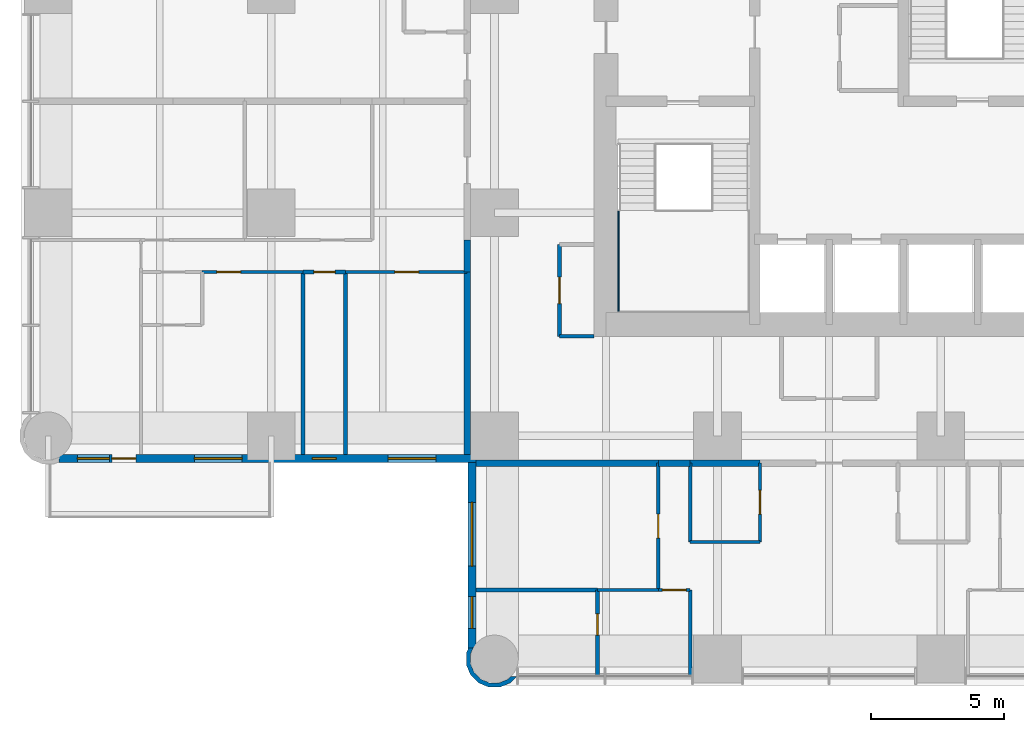
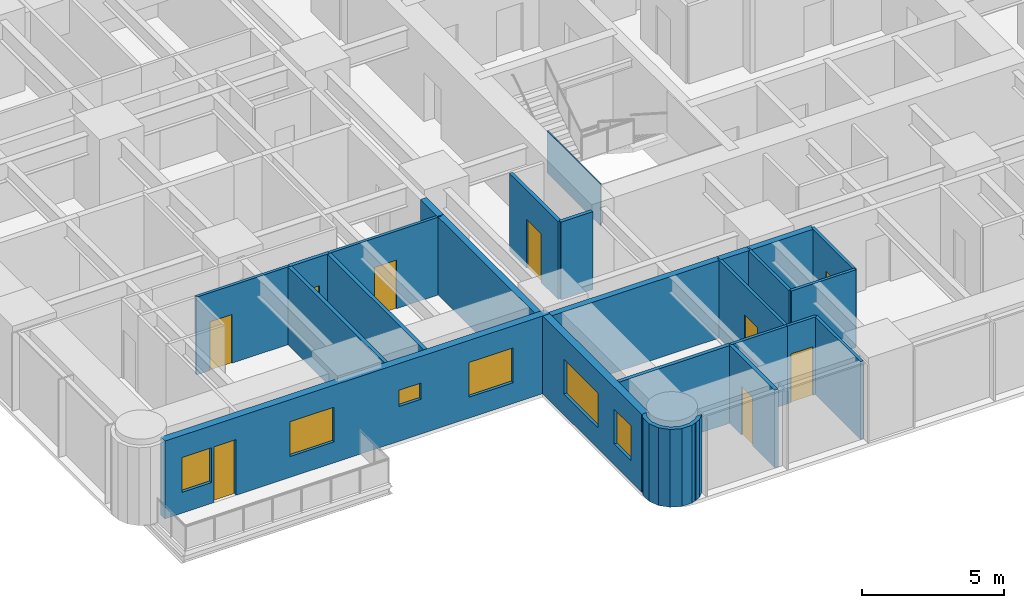
# One storey, part 6 of 14: 25 walls, 9 doors, 6 windows, 15 openings.
"""IFC4 building model written with IfcOpenShell, lengths in metres."""

from ifc_helpers import new_model, si_unit, direction, frame, frame_2d, origin, place, context, subcontext, project, spatial, polyline, rectangle, outline, extrude, material, layer, layer_set, type_object, element, fill, save


model = new_model("IFC4")

# Units and contexts
model_context = context("Model", 3, precision=1e-05, world=origin(), true_north=direction((0.0, 1.0)))
body_context = subcontext(model_context, "Body", "Model", "MODEL_VIEW")
ifc_project = project(units=[si_unit("LENGTHUNIT", "METRE"), si_unit("AREAUNIT", "SQUARE_METRE"), si_unit("VOLUMEUNIT", "CUBIC_METRE"), si_unit("PLANEANGLEUNIT", "RADIAN"), si_unit("MASSUNIT", "GRAM", prefix="KILO")], contexts=[model_context])

# Site, building, storey
site_placement = place(None, origin())
site = spatial("IfcSite", under=ifc_project, at=site_placement, CompositionType="ELEMENT")
building_placement = place(site_placement, origin())
building = spatial("IfcBuilding", under=site, at=building_placement, Name="Torre Alcanfor", CompositionType="ELEMENT")
storey_placement = place(building_placement, frame((0.0, 0.0, 173.699951171875)))
storey = spatial("IfcBuildingStorey", under=building, at=storey_placement, Name="L45", CompositionType="ELEMENT", Elevation=173.699951171875)

# Walls
ifc_material_1 = material(Name="Concrete block masonry, hollow blocks NMX-C-404 9 MPa", Category="masonry")
ifc_layer_1 = layer(ifc_material_1, 0.25)
ifc_layer_set_1 = layer_set([ifc_layer_1], Name="Apartment entrance wall 250 EI 60")
wall_type_1 = type_object("IfcWallType", Name="Apartment entrance wall 250 EI 60", PredefinedType="PARTITIONING", material=ifc_layer_set_1)
wall_1_placement = place(storey_placement, frame((26.800048828125, 15.77490234375, 0.0), z_axis=(0.0, 0.0, 1.0), x_axis=(-1.0, 0.0, 0.0)))
element("IfcWall", 1, at=wall_1_placement, inside=storey, type_object=wall_type_1, Name="Partition L45-CORR / L45-SX-KITCHEN", PredefinedType="PARTITIONING", context=body_context, shape_type="SweptSolid", body=[
    extrude(rectangle(XDim=2.629150390625, YDim=0.25, at=frame_2d((1.314453125, 0.0))), origin(), (0.0, 0.0, 1.0), 3.35009765625),
])
wall_2_placement = place(storey_placement, frame((24.1708984375, 15.77490234375, 0.0), z_axis=(0.0, 0.0, 1.0), x_axis=(-1.0, 0.0, 0.0)))
element("IfcWall", 2, at=wall_2_placement, inside=storey, type_object=wall_type_1, Name="Partition L45-CORR / L45-SX-LIVING", PredefinedType="PARTITIONING", context=body_context, shape_type="SweptSolid", body=[
    extrude(rectangle(XDim=1.199951171875, YDim=0.25, at=frame_2d((0.60009765625, 0.0))), origin(), (0.0, 0.0, 1.0), 3.35009765625),
])
wall_3_placement = place(storey_placement, frame((22.970947265625, 15.77490234375, 0.0), z_axis=(0.0, 0.0, 1.0), x_axis=(-1.0, 0.0, 0.0)))
element("IfcWall", 3, at=wall_3_placement, inside=storey, type_object=wall_type_1, Name="Partition L45-CORR / L45-SX-BED3", PredefinedType="PARTITIONING", context=body_context, shape_type="SweptSolid", body=[
    extrude(rectangle(XDim=6.870849609375, YDim=0.25, at=frame_2d((3.435546875, 0.0))), origin(), (0.0, 0.0, 1.0), 3.35009765625),
])
wall_4_placement = place(storey_placement, frame((15.77490234375, 22.970947265625, 0.0), z_axis=(0.0, 0.0, 1.0), x_axis=(0.0, 1.0, 0.0)))
element("IfcWall", 4, at=wall_4_placement, inside=storey, type_object=wall_type_1, Name="Partition L45-CORR / L45-W1-HALL", PredefinedType="PARTITIONING", context=body_context, shape_type="SweptSolid", body=[
    extrude(rectangle(XDim=1.199951171875, YDim=0.25, at=frame_2d((0.60009765625, 0.0))), origin(), (0.0, 0.0, 1.0), 3.35009765625),
])
wall_5_placement = place(storey_placement, frame((15.77490234375, 16.10009765625, 0.0), z_axis=(0.0, 0.0, 1.0), x_axis=(0.0, 1.0, 0.0)))
element("IfcWall", 5, at=wall_5_placement, inside=storey, type_object=wall_type_1, Name="Partition L45-CORR / L45-W1-BED2", PredefinedType="PARTITIONING", context=body_context, shape_type="SweptSolid", body=[
    extrude(rectangle(XDim=6.870849609375, YDim=0.25, at=frame_2d((3.435546875, 0.0))), origin(), (0.0, 0.0, 1.0), 3.35009765625),
])

# Wall, opening, door
ifc_material_2 = material(Name="Gypsum board on steel studs", Category="steel")
ifc_layer_2 = layer(ifc_material_2, 0.1201171875)
ifc_layer_set_2 = layer_set([ifc_layer_2], Name="Apartment partition 120")
wall_type_2 = type_object("IfcWallType", Name="Apartment partition 120", PredefinedType="PARTITIONING", material=ifc_layer_set_2)
wall_6_placement = place(storey_placement, frame((26.800048828125, 15.77490234375, 0.0), z_axis=(0.0, 0.0, 1.0), x_axis=(0.0, -1.0, 0.0)))
wall_6 = element("IfcWall", 6, at=wall_6_placement, inside=storey, type_object=wall_type_2, Name="Partition L45-SX-ZAG / L45-SX-KITCHEN", PredefinedType="PARTITIONING", context=body_context, shape_type="SweptSolid", body=[
    extrude(rectangle(XDim=2.974853515625, YDim=0.1201171875, at=frame_2d((1.4873046875, 0.0))), origin(), (0.0, 0.0, 1.0), 3.35009765625),
])
opening_1_placement = place(wall_6_placement, frame((1.02490234375, 0.0, 0.0)))
opening_1 = element("IfcOpeningElement", 7, at=opening_1_placement, cuts=wall_6, Name="Opening D-R1", PredefinedType="OPENING", context=body_context, shape_type="SweptSolid", body=[
    extrude(rectangle(XDim=0.89990234375, YDim=2.10009765625, at=frame_2d((0.449951171875, 1.050048828125))), frame((0.0, 0.070068359375, 0.0), z_axis=(0.0, -1.0, 0.0), x_axis=(1.0, 0.0, 0.0)), (0.0, 0.0, 1.0), 0.14013671875),
])
ifc_material_3 = material(Name="Timber", Category="wood")
door_type_1 = type_object("IfcDoorType", Name="Internal door 900x2100", OperationType="SINGLE_SWING_LEFT", PredefinedType="DOOR", material=ifc_material_3)
door_1_placement = place(opening_1_placement, frame((0.89990234375, 0.0, 0.0), z_axis=(0.0, 0.0, 1.0), x_axis=(-1.0, 0.0, 0.0)))
door_1 = element("IfcDoor", 8, at=door_1_placement, inside=storey, type_object=door_type_1, Name="Door L45-SX kitchen", OperationType="SINGLE_SWING_RIGHT", OverallHeight=2.10009765625, OverallWidth=0.89990234375, PredefinedType="DOOR", context=body_context, shape_type="SweptSolid", body=[
    extrude(rectangle(XDim=0.89990234375, YDim=2.10009765625, at=frame_2d((0.449951171875, 1.050048828125))), frame((0.0, 0.025146484375, 0.0), z_axis=(0.0, -1.0, 0.0), x_axis=(1.0, 0.0, 0.0)), (0.0, 0.0, 1.0), 0.050048828125),
])
fill(opening_1, door_1)

# Walls
wall_7_placement = place(storey_placement, frame((24.1708984375, 15.77490234375, 0.0), z_axis=(0.0, 0.0, 1.0), x_axis=(0.0, -1.0, 0.0)))
element("IfcWall", 9, at=wall_7_placement, inside=storey, type_object=wall_type_2, Name="Partition L45-SX-KITCHEN / L45-SX-LIVING", PredefinedType="PARTITIONING", context=body_context, shape_type="SweptSolid", body=[
    extrude(rectangle(XDim=2.974853515625, YDim=0.1201171875, at=frame_2d((1.4873046875, 0.0))), origin(), (0.0, 0.0, 1.0), 3.35009765625),
])
wall_8_placement = place(storey_placement, frame((24.1708984375, 12.800048828125, 0.0), z_axis=(0.0, 0.0, 1.0), x_axis=(1.0, 0.0, 0.0)))
element("IfcWall", 10, at=wall_8_placement, inside=storey, type_object=wall_type_2, Name="Partition L45-SX-KITCHEN / L45-SX-LIVING", PredefinedType="PARTITIONING", context=body_context, shape_type="SweptSolid", body=[
    extrude(rectangle(XDim=2.629150390625, YDim=0.1201171875, at=frame_2d((1.314453125, 0.0))), origin(), (0.0, 0.0, 1.0), 3.35009765625),
])

# Wall, opening, door
wall_9_placement = place(storey_placement, frame((22.970947265625, 11.0, 0.0), z_axis=(0.0, 0.0, 1.0), x_axis=(0.0, 1.0, 0.0)))
wall_9 = element("IfcWall", 11, at=wall_9_placement, inside=storey, type_object=wall_type_2, Name="Partition L45-SX-LIVING / L45-SX-BED3", PredefinedType="PARTITIONING", context=body_context, shape_type="SweptSolid", body=[
    extrude(rectangle(XDim=4.77490234375, YDim=0.1201171875, at=frame_2d((2.387451171875, 0.0))), origin(), (0.0, 0.0, 1.0), 3.35009765625),
])
opening_2_placement = place(wall_9_placement, frame((1.949951171875, 0.0, 0.0)))
opening_2 = element("IfcOpeningElement", 12, at=opening_2_placement, cuts=wall_9, Name="Opening D-R1", PredefinedType="OPENING", context=body_context, shape_type="SweptSolid", body=[
    extrude(rectangle(XDim=0.89990234375, YDim=2.10009765625, at=frame_2d((0.449951171875, 1.050048828125))), frame((0.0, 0.070068359375, 0.0), z_axis=(0.0, -1.0, 0.0), x_axis=(1.0, 0.0, 0.0)), (0.0, 0.0, 1.0), 0.14013671875),
])
door_2_placement = place(opening_2_placement, origin())
door_2 = element("IfcDoor", 13, at=door_2_placement, inside=storey, type_object=door_type_1, Name="Door L45-SX bed3", OperationType="SINGLE_SWING_RIGHT", OverallHeight=2.10009765625, OverallWidth=0.89990234375, PredefinedType="DOOR", context=body_context, shape_type="SweptSolid", body=[
    extrude(rectangle(XDim=0.89990234375, YDim=2.10009765625, at=frame_2d((0.449951171875, 1.050048828125))), frame((0.0, 0.02490234375, 0.0), z_axis=(0.0, -1.0, 0.0), x_axis=(1.0, 0.0, 0.0)), (0.0, 0.0, 1.0), 0.050048828125),
])
fill(opening_2, door_2)

# Wall
wall_10_placement = place(storey_placement, frame((24.1708984375, 7.75, 0.0), z_axis=(0.0, 0.0, 1.0), x_axis=(0.0, 1.0, 0.0)))
element("IfcWall", 14, at=wall_10_placement, inside=storey, type_object=wall_type_2, Name="Partition L45-SX-LIVING / L45-SX-BED1", PredefinedType="PARTITIONING", context=body_context, shape_type="SweptSolid", body=[
    extrude(rectangle(XDim=3.25, YDim=0.1201171875, at=frame_2d((1.625, 0.0))), origin(), (0.0, 0.0, 1.0), 3.35009765625),
])

# Wall, opening, door
wall_11_placement = place(storey_placement, frame((24.1708984375, 11.0, 0.0), z_axis=(0.0, 0.0, 1.0), x_axis=(-1.0, 0.0, 0.0)))
wall_11 = element("IfcWall", 15, at=wall_11_placement, inside=storey, type_object=wall_type_2, Name="Partition L45-SX-LIVING / L45-SX-BED1", PredefinedType="PARTITIONING", context=body_context, shape_type="SweptSolid", body=[
    extrude(rectangle(XDim=1.199951171875, YDim=0.1201171875, at=frame_2d((0.60009765625, 0.0))), origin(), (0.0, 0.0, 1.0), 3.35009765625),
])
opening_3_placement = place(wall_11_placement, frame((0.15087890625, 0.0, 0.0)))
opening_3 = element("IfcOpeningElement", 16, at=opening_3_placement, cuts=wall_11, Name="Opening D-R1", PredefinedType="OPENING", context=body_context, shape_type="SweptSolid", body=[
    extrude(rectangle(XDim=0.89990234375, YDim=2.10009765625, at=frame_2d((0.449951171875, 1.050048828125))), frame((0.0, 0.070068359375, 0.0), z_axis=(0.0, -1.0, 0.0), x_axis=(1.0, 0.0, 0.0)), (0.0, 0.0, 1.0), 0.14013671875),
])
door_3_placement = place(opening_3_placement, origin())
door_3 = element("IfcDoor", 17, at=door_3_placement, inside=storey, type_object=door_type_1, Name="Door L45-SX bed1", OperationType="SINGLE_SWING_LEFT", OverallHeight=2.10009765625, OverallWidth=0.89990234375, PredefinedType="DOOR", context=body_context, shape_type="SweptSolid", body=[
    extrude(rectangle(XDim=0.89990234375, YDim=2.10009765625, at=frame_2d((0.449951171875, 1.050048828125))), frame((0.0, 0.02490234375, 0.0), z_axis=(0.0, -1.0, 0.0), x_axis=(1.0, 0.0, 0.0)), (0.0, 0.0, 1.0), 0.050048828125),
])
fill(opening_3, door_3)

# Wall
wall_12_placement = place(storey_placement, frame((20.68603515625, 11.0, 0.0), z_axis=(0.0, 0.0, 1.0), x_axis=(1.0, 0.0, 0.0)))
element("IfcWall", 18, at=wall_12_placement, inside=storey, type_object=wall_type_2, Name="Partition L45-SX-BED3 / L45-SX-BED1", PredefinedType="PARTITIONING", context=body_context, shape_type="SweptSolid", body=[
    extrude(rectangle(XDim=2.284912109375, YDim=0.1201171875, at=frame_2d((1.142578125, 0.0))), origin(), (0.0, 0.0, 1.0), 3.35009765625),
])

# Wall, opening, door
wall_13_placement = place(storey_placement, frame((11.199951171875, 22.970947265625, 0.0), z_axis=(0.0, 0.0, 1.0), x_axis=(1.0, 0.0, 0.0)))
wall_13 = element("IfcWall", 19, at=wall_13_placement, inside=storey, type_object=wall_type_2, Name="Partition L45-W1-HALL / L45-W1-BED2", PredefinedType="PARTITIONING", context=body_context, shape_type="SweptSolid", body=[
    extrude(rectangle(XDim=4.574951171875, YDim=0.1201171875, at=frame_2d((2.28759765625, 0.0))), origin(), (0.0, 0.0, 1.0), 3.35009765625),
])
opening_4_placement = place(wall_13_placement, frame((1.85009765625, 0.0, 0.0)))
opening_4 = element("IfcOpeningElement", 20, at=opening_4_placement, cuts=wall_13, Name="Opening D-R1", PredefinedType="OPENING", context=body_context, shape_type="SweptSolid", body=[
    extrude(rectangle(XDim=0.89990234375, YDim=2.10009765625, at=frame_2d((0.449951171875, 1.050048828125))), frame((0.0, 0.070068359375, 0.0), z_axis=(0.0, -1.0, 0.0), x_axis=(1.0, 0.0, 0.0)), (0.0, 0.0, 1.0), 0.14013671875),
])
door_4_placement = place(opening_4_placement, frame((0.89990234375, 0.0, 0.0), z_axis=(0.0, 0.0, 1.0), x_axis=(-1.0, 0.0, 0.0)))
door_4 = element("IfcDoor", 21, at=door_4_placement, inside=storey, type_object=door_type_1, Name="Door L45-W1 bed2", OperationType="SINGLE_SWING_LEFT", OverallHeight=2.10009765625, OverallWidth=0.89990234375, PredefinedType="DOOR", context=body_context, shape_type="SweptSolid", body=[
    extrude(rectangle(XDim=0.89990234375, YDim=2.10009765625, at=frame_2d((0.449951171875, 1.050048828125))), frame((0.0, 0.025146484375, 0.0), z_axis=(0.0, -1.0, 0.0), x_axis=(1.0, 0.0, 0.0)), (0.0, 0.0, 1.0), 0.050048828125),
])
fill(opening_4, door_4)

wall_14_placement = place(storey_placement, frame((5.800048828125, 22.970947265625, 0.0), z_axis=(0.0, 0.0, 1.0), x_axis=(1.0, 0.0, 0.0)))
wall_14 = element("IfcWall", 22, at=wall_14_placement, inside=storey, type_object=wall_type_2, Name="Partition L45-W1-HALL / L45-W1-MASTER", PredefinedType="PARTITIONING", context=body_context, shape_type="SweptSolid", body=[
    extrude(rectangle(XDim=3.800048828125, YDim=0.1201171875, at=frame_2d((1.89990234375, 0.0))), origin(), (0.0, 0.0, 1.0), 3.35009765625),
])
opening_5_placement = place(wall_14_placement, frame((0.550048828125, 0.0, 0.0)))
opening_5 = element("IfcOpeningElement", 23, at=opening_5_placement, cuts=wall_14, Name="Opening D-R1", PredefinedType="OPENING", context=body_context, shape_type="SweptSolid", body=[
    extrude(rectangle(XDim=0.89990234375, YDim=2.10009765625, at=frame_2d((0.449951171875, 1.050048828125))), frame((0.0, 0.070068359375, 0.0), z_axis=(0.0, -1.0, 0.0), x_axis=(1.0, 0.0, 0.0)), (0.0, 0.0, 1.0), 0.14013671875),
])
door_5_placement = place(opening_5_placement, frame((0.89990234375, 0.0, 0.0), z_axis=(0.0, 0.0, 1.0), x_axis=(-1.0, 0.0, 0.0)))
door_5 = element("IfcDoor", 24, at=door_5_placement, inside=storey, type_object=door_type_1, Name="Door L45-W1 master", OperationType="SINGLE_SWING_RIGHT", OverallHeight=2.10009765625, OverallWidth=0.89990234375, PredefinedType="DOOR", context=body_context, shape_type="SweptSolid", body=[
    extrude(rectangle(XDim=0.89990234375, YDim=2.10009765625, at=frame_2d((0.449951171875, 1.050048828125))), frame((0.0, 0.025146484375, 0.0), z_axis=(0.0, -1.0, 0.0), x_axis=(1.0, 0.0, 0.0)), (0.0, 0.0, 1.0), 0.050048828125),
])
fill(opening_5, door_5)

# Wall, openings, door, windows
ifc_material_4 = material(Name="Limestone cladding", Category="masonry")
ifc_layer_3 = layer(ifc_material_4, 0.0400390625, Name="Facing")
ifc_material_5 = material(Name="Ventilated air cavity")
ifc_layer_4 = layer(ifc_material_5, 0.02001953125, ventilated=True, Name="Ventilated joint")
ifc_material_6 = material(Name="Mineral wool insulation", Category="insulation")
ifc_layer_5 = layer(ifc_material_6, 0.10009765625, Name="Insulation")
ifc_material_7 = material(Name="Concrete f'c 35 MPa", Category="concrete")
ifc_layer_6 = layer(ifc_material_7, 0.139892578125, Name="Backing")
ifc_layer_set_3 = layer_set([ifc_layer_3, ifc_layer_4, ifc_layer_5, ifc_layer_6], Name="External wall stone-clad 300")
wall_type_3 = type_object("IfcWallType", Name="External wall stone-clad 300", PredefinedType="SOLIDWALL", material=ifc_layer_set_3)
wall_15_placement = place(storey_placement, frame((0.39990234375, 15.949951171875, 0.0), z_axis=(0.0, 0.0, 1.0), x_axis=(1.0, 0.0, 0.0)))
wall_15 = element("IfcWall", 25, at=wall_15_placement, inside=storey, type_object=wall_type_3, Name="External wall L45 3", PredefinedType="SOLIDWALL", context=body_context, shape_type="SweptSolid", body=[
    extrude(rectangle(XDim=15.7001953125, YDim=0.300048828125, at=frame_2d((7.85009765625, 0.0))), origin(), (0.0, 0.0, 1.0), 3.35009765625),
])
opening_6_placement = place(wall_15_placement, frame((12.39990234375, 0.0, 0.89990234375)))
opening_6 = element("IfcOpeningElement", 26, at=opening_6_placement, cuts=wall_15, Name="Opening W2", PredefinedType="OPENING", context=body_context, shape_type="SweptSolid", body=[
    extrude(rectangle(XDim=1.800048828125, YDim=1.5, at=frame_2d((0.89990234375, 0.75))), frame((0.0, 0.159912109375, 0.0), z_axis=(0.0, -1.0, 0.0), x_axis=(1.0, 0.0, 0.0)), (0.0, 0.0, 1.0), 0.320068359375),
])
opening_7_placement = place(wall_15_placement, frame((9.550048828125, 0.0, 1.5)))
opening_7 = element("IfcOpeningElement", 27, at=opening_7_placement, cuts=wall_15, Name="Opening W3", PredefinedType="OPENING", context=body_context, shape_type="SweptSolid", body=[
    extrude(rectangle(XDim=0.89990234375, YDim=0.699951171875, at=frame_2d((0.449951171875, 0.35009765625))), frame((0.0, 0.159912109375, 0.0), z_axis=(0.0, -1.0, 0.0), x_axis=(1.0, 0.0, 0.0)), (0.0, 0.0, 1.0), 0.320068359375),
])
opening_8_placement = place(wall_15_placement, frame((5.10009765625, 0.0, 0.89990234375)))
opening_8 = element("IfcOpeningElement", 28, at=opening_8_placement, cuts=wall_15, Name="Opening W2", PredefinedType="OPENING", context=body_context, shape_type="SweptSolid", body=[
    extrude(rectangle(XDim=1.800048828125, YDim=1.5, at=frame_2d((0.89990234375, 0.75))), frame((0.0, 0.159912109375, 0.0), z_axis=(0.0, -1.0, 0.0), x_axis=(1.0, 0.0, 0.0)), (0.0, 0.0, 1.0), 0.320068359375),
])
opening_9_placement = place(wall_15_placement, frame((2.0, 0.0, 0.0)))
opening_9 = element("IfcOpeningElement", 29, at=opening_9_placement, cuts=wall_15, Name="Opening D-B1", PredefinedType="OPENING", context=body_context, shape_type="SweptSolid", body=[
    extrude(rectangle(XDim=0.89990234375, YDim=2.39990234375, at=frame_2d((0.449951171875, 1.199951171875))), frame((0.0, 0.159912109375, 0.0), z_axis=(0.0, -1.0, 0.0), x_axis=(1.0, 0.0, 0.0)), (0.0, 0.0, 1.0), 0.320068359375),
])
opening_10_placement = place(wall_15_placement, frame((0.699951171875, 0.0, 0.89990234375)))
opening_10 = element("IfcOpeningElement", 30, at=opening_10_placement, cuts=wall_15, Name="Opening W4", PredefinedType="OPENING", context=body_context, shape_type="SweptSolid", body=[
    extrude(rectangle(XDim=1.199951171875, YDim=1.5, at=frame_2d((0.60009765625, 0.75))), frame((0.0, 0.159912109375, 0.0), z_axis=(0.0, -1.0, 0.0), x_axis=(1.0, 0.0, 0.0)), (0.0, 0.0, 1.0), 0.320068359375),
])
ifc_material_8 = material(Name="Aluminium and glass", Category="aluminium")
door_type_2 = type_object("IfcDoorType", Name="Balcony door glazed 900x2400", OperationType="SINGLE_SWING_LEFT", PredefinedType="DOOR", material=ifc_material_8)
door_6_placement = place(opening_9_placement, origin())
door_6 = element("IfcDoor", 31, at=door_6_placement, inside=storey, type_object=door_type_2, Name="Balcony door L45-W1", OperationType="SINGLE_SWING_RIGHT", OverallHeight=2.39990234375, OverallWidth=0.89990234375, PredefinedType="DOOR", context=body_context, shape_type="SweptSolid", body=[
    extrude(rectangle(XDim=0.89990234375, YDim=2.39990234375, at=frame_2d((0.449951171875, 1.199951171875))), frame((0.0, 0.02490234375, 0.0), z_axis=(0.0, -1.0, 0.0), x_axis=(1.0, 0.0, 0.0)), (0.0, 0.0, 1.0), 0.050048828125),
])
fill(opening_9, door_6)
ifc_material_9 = material(Name="Aluminium frame with clear double glazing", Category="aluminium")
window_type_1 = type_object("IfcWindowType", Name="Window bathroom 900x700", PartitioningType="SINGLE_PANEL", PredefinedType="WINDOW", material=ifc_material_9)
window_1_placement = place(opening_7_placement, origin())
window_1 = element("IfcWindow", 32, at=window_1_placement, inside=storey, type_object=window_type_1, Name="Window W3 L45-W1", OverallHeight=0.699951171875, OverallWidth=0.89990234375, PartitioningType="SINGLE_PANEL", PredefinedType="WINDOW", context=body_context, shape_type="SweptSolid", body=[
    extrude(rectangle(XDim=0.89990234375, YDim=0.699951171875, at=frame_2d((0.449951171875, 0.35009765625))), frame((0.0, 0.030029296875, 0.0), z_axis=(0.0, -1.0, 0.0), x_axis=(1.0, 0.0, 0.0)), (0.0, 0.0, 1.0), 0.06005859375),
])
fill(opening_7, window_1)
ifc_material_10 = material(Name="Aluminium frame with clear double glazing", Category="aluminium")
window_type_2 = type_object("IfcWindowType", Name="Window bedroom 1200x1500", PartitioningType="SINGLE_PANEL", PredefinedType="WINDOW", material=ifc_material_10)
window_2_placement = place(opening_10_placement, origin())
window_2 = element("IfcWindow", 33, at=window_2_placement, inside=storey, type_object=window_type_2, Name="Window W4 L45-W1", OverallHeight=1.5, OverallWidth=1.199951171875, PartitioningType="SINGLE_PANEL", PredefinedType="WINDOW", context=body_context, shape_type="SweptSolid", body=[
    extrude(rectangle(XDim=1.199951171875, YDim=1.5, at=frame_2d((0.60009765625, 0.75))), frame((0.0, 0.030029296875, 0.0), z_axis=(0.0, -1.0, 0.0), x_axis=(1.0, 0.0, 0.0)), (0.0, 0.0, 1.0), 0.06005859375),
])
fill(opening_10, window_2)
ifc_material_11 = material(Name="Aluminium frame with clear double glazing", Category="aluminium")
window_type_3 = type_object("IfcWindowType", Name="Window bedroom 1800x1500", PartitioningType="SINGLE_PANEL", PredefinedType="WINDOW", material=ifc_material_11)
window_3_placement = place(opening_6_placement, origin())
window_3 = element("IfcWindow", 34, at=window_3_placement, inside=storey, type_object=window_type_3, Name="Window W2 L45-W1", OverallHeight=1.5, OverallWidth=1.800048828125, PartitioningType="SINGLE_PANEL", PredefinedType="WINDOW", context=body_context, shape_type="SweptSolid", body=[
    extrude(rectangle(XDim=1.800048828125, YDim=1.5, at=frame_2d((0.89990234375, 0.75))), frame((0.0, 0.030029296875, 0.0), z_axis=(0.0, -1.0, 0.0), x_axis=(1.0, 0.0, 0.0)), (0.0, 0.0, 1.0), 0.06005859375),
])
fill(opening_6, window_3)
window_4_placement = place(opening_8_placement, origin())
window_4 = element("IfcWindow", 35, at=window_4_placement, inside=storey, type_object=window_type_3, Name="Window W2 L45-W1", OverallHeight=1.5, OverallWidth=1.800048828125, PartitioningType="SINGLE_PANEL", PredefinedType="WINDOW", context=body_context, shape_type="SweptSolid", body=[
    extrude(rectangle(XDim=1.800048828125, YDim=1.5, at=frame_2d((0.89990234375, 0.75))), frame((0.0, 0.030029296875, 0.0), z_axis=(0.0, -1.0, 0.0), x_axis=(1.0, 0.0, 0.0)), (0.0, 0.0, 1.0), 0.06005859375),
])
fill(opening_8, window_4)

# Wall, openings, windows
wall_16_placement = place(storey_placement, frame((15.949951171875, 15.800048828125, 0.0), z_axis=(0.0, 0.0, 1.0), x_axis=(0.0, -1.0, 0.0)))
wall_16 = element("IfcWall", 36, at=wall_16_placement, inside=storey, type_object=wall_type_3, Name="External wall L45 4", PredefinedType="SOLIDWALL", context=body_context, shape_type="SweptSolid", body=[
    extrude(rectangle(XDim=7.0, YDim=0.300048828125, at=frame_2d((3.5, 0.0))), origin(), (0.0, 0.0, 1.0), 3.35009765625),
])
opening_11_placement = place(wall_16_placement, frame((1.5, 0.0, 0.89990234375)))
opening_11 = element("IfcOpeningElement", 37, at=opening_11_placement, cuts=wall_16, Name="Opening W1", PredefinedType="OPENING", context=body_context, shape_type="SweptSolid", body=[
    extrude(rectangle(XDim=2.39990234375, YDim=1.5, at=frame_2d((1.199951171875, 0.75))), frame((0.0, 0.159912109375, 0.0), z_axis=(0.0, -1.0, 0.0), x_axis=(1.0, 0.0, 0.0)), (0.0, 0.0, 1.0), 0.320068359375),
])
opening_12_placement = place(wall_16_placement, frame((5.050048828125, 0.0, 0.89990234375)))
opening_12 = element("IfcOpeningElement", 38, at=opening_12_placement, cuts=wall_16, Name="Opening W4", PredefinedType="OPENING", context=body_context, shape_type="SweptSolid", body=[
    extrude(rectangle(XDim=1.199951171875, YDim=1.5, at=frame_2d((0.60009765625, 0.75))), frame((0.0, 0.159912109375, 0.0), z_axis=(0.0, -1.0, 0.0), x_axis=(1.0, 0.0, 0.0)), (0.0, 0.0, 1.0), 0.320068359375),
])
window_5_placement = place(opening_12_placement, origin())
window_5 = element("IfcWindow", 39, at=window_5_placement, inside=storey, type_object=window_type_2, Name="Window W4 L45-S2", OverallHeight=1.5, OverallWidth=1.199951171875, PartitioningType="SINGLE_PANEL", PredefinedType="WINDOW", context=body_context, shape_type="SweptSolid", body=[
    extrude(rectangle(XDim=1.199951171875, YDim=1.5, at=frame_2d((0.60009765625, 0.75))), frame((0.0, 0.030029296875, 0.0), z_axis=(0.0, -1.0, 0.0), x_axis=(1.0, 0.0, 0.0)), (0.0, 0.0, 1.0), 0.06005859375),
])
fill(opening_12, window_5)
ifc_material_12 = material(Name="Aluminium frame with clear double glazing", Category="aluminium")
window_type_4 = type_object("IfcWindowType", Name="Window bedroom 2400x1500", PartitioningType="SINGLE_PANEL", PredefinedType="WINDOW", material=ifc_material_12)
window_6_placement = place(opening_11_placement, origin())
window_6 = element("IfcWindow", 40, at=window_6_placement, inside=storey, type_object=window_type_4, Name="Window W1 L45-S2", OverallHeight=1.5, OverallWidth=2.39990234375, PartitioningType="SINGLE_PANEL", PredefinedType="WINDOW", context=body_context, shape_type="SweptSolid", body=[
    extrude(rectangle(XDim=2.39990234375, YDim=1.5, at=frame_2d((1.199951171875, 0.75))), frame((0.0, 0.030029296875, 0.0), z_axis=(0.0, -1.0, 0.0), x_axis=(1.0, 0.0, 0.0)), (0.0, 0.0, 1.0), 0.06005859375),
])
fill(opening_11, window_6)

# Wall, opening, door
ifc_material_13 = material(Name="Concrete block masonry, hollow blocks NMX-C-404 9 MPa", Category="masonry")
ifc_layer_7 = layer(ifc_material_13, 0.14990234375)
ifc_layer_set_4 = layer_set([ifc_layer_7], Name="Residents' room partition 150")
wall_type_4 = type_object("IfcWallType", Name="Residents' room partition 150", PredefinedType="PARTITIONING", material=ifc_layer_set_4)
wall_17_placement = place(storey_placement, frame((19.25, 24.0, 0.0), z_axis=(0.0, 0.0, 1.0), x_axis=(0.0, -1.0, 0.0)))
wall_17 = element("IfcWall", 41, at=wall_17_placement, inside=storey, type_object=wall_type_4, Name="Partition L45-CORR / L45-G05", PredefinedType="PARTITIONING", context=body_context, shape_type="SweptSolid", body=[
    extrude(rectangle(XDim=3.449951171875, YDim=0.14990234375, at=frame_2d((1.72509765625, 0.0))), origin(), (0.0, 0.0, 1.0), 3.35009765625),
])
opening_13_placement = place(wall_17_placement, frame((1.22509765625, 0.0, 0.0)))
opening_13 = element("IfcOpeningElement", 42, at=opening_13_placement, cuts=wall_17, Name="Opening D-M1", PredefinedType="OPENING", context=body_context, shape_type="SweptSolid", body=[
    extrude(rectangle(XDim=1.0, YDim=2.10009765625, at=frame_2d((0.5, 1.050048828125))), frame((0.0, 0.0849609375, 0.0), z_axis=(0.0, -1.0, 0.0), x_axis=(1.0, 0.0, 0.0)), (0.0, 0.0, 1.0), 0.169921875),
])
ifc_material_14 = material(Name="Timber", Category="wood")
door_type_3 = type_object("IfcDoorType", Name="Residents' room door 1000x2100", OperationType="SINGLE_SWING_LEFT", PredefinedType="DOOR", material=ifc_material_14)
door_7_placement = place(opening_13_placement, origin())
door_7 = element("IfcDoor", 43, at=door_7_placement, inside=storey, type_object=door_type_3, Name="Door L45-G05 bicycle store", OperationType="SINGLE_SWING_LEFT", OverallHeight=2.10009765625, OverallWidth=1.0, PredefinedType="DOOR", context=body_context, shape_type="SweptSolid", body=[
    extrude(rectangle(XDim=1.0, YDim=2.10009765625, at=frame_2d((0.5, 1.050048828125))), frame((0.0, 0.02490234375, 0.0), z_axis=(0.0, -1.0, 0.0), x_axis=(1.0, 0.0, 0.0)), (0.0, 0.0, 1.0), 0.050048828125),
])
fill(opening_13, door_7)

# Walls
wall_18_placement = place(storey_placement, frame((19.25, 20.550048828125, 0.0), z_axis=(0.0, 0.0, 1.0), x_axis=(1.0, 0.0, 0.0)))
element("IfcWall", 44, at=wall_18_placement, inside=storey, type_object=wall_type_4, Name="Partition L45-CORR / L45-G05", PredefinedType="PARTITIONING", context=body_context, shape_type="SweptSolid", body=[
    extrude(rectangle(XDim=1.300048828125, YDim=0.14990234375, at=frame_2d((0.64990234375, 0.0))), origin(), (0.0, 0.0, 1.0), 3.35009765625),
])
ifc_layer_8 = layer(ifc_material_4, 0.0400390625, Name="Facing")
ifc_layer_9 = layer(ifc_material_5, 0.02001953125, ventilated=True, Name="Ventilated joint")
ifc_layer_10 = layer(ifc_material_6, 0.10009765625, Name="Insulation")
ifc_layer_11 = layer(ifc_material_7, 0.139892578125, Name="Backing")
ifc_layer_set_5 = layer_set([ifc_layer_8, ifc_layer_9, ifc_layer_10, ifc_layer_11], Name="Rounded corner pier stone-clad 300")
wall_type_5 = type_object("IfcWallType", Name="Rounded corner pier stone-clad 300", PredefinedType="SOLIDWALL", material=ifc_layer_set_5)
wall_19_placement = place(storey_placement, frame((15.890092843, 8.763962863, 0.0), z_axis=(0.0, 0.0, 1.0), x_axis=(-0.377204953059, -0.926129809145, 0.0)))
element("IfcWall", 45, at=wall_19_placement, inside=storey, type_object=wall_type_5, Name="Corner pier L45 15", PredefinedType="SOLIDWALL", context=body_context, shape_type="SweptSolid", body=[
    extrude(outline(polyline([(0.36034450563262843, 1.8033619899607123), (0.5087163816434637, 1.7406849604818813), (0.7606633711668922, 1.4858405177128808), (0.8958530369605706, 1.1539170411930133), (0.8937490742070667, 0.7953361489494798), (0.7546416521813281, 0.46504770091033776), (0.4997972094123275, 0.21310071138690906), (0.1678737328924601, 0.07791104559323066), (-0.0998497966361302, 0.07958729129442146), (0.0005447604101438894, -0.09700425109193639), (0.030089737096421466, -0.0802257793910609), (0.1984312400342189, -0.08125573898961119), (0.5889161473569784, 0.07778550952924612), (0.8889089943842856, 0.3742188369041392), (1.0524490442690833, 0.7629634351611959), (1.0550198215434126, 1.184474548334772), (0.8959785730245553, 1.5749594556575315), (0.7777586267704055, 1.6949950795784703), (0.7692120588982145, 1.727629228262059), (0.7501105844804216, 1.7227491090374158), (0.599545245649662, 1.874952302684839), (0.2946204636318348, 2.0035646420255806), (0.2810541090056822, 1.9980391788460024), (0.36034450563262843, 1.8033619899607123)])), origin(), (0.0, 0.0, 1.0), 3.35009765625),
])
ifc_material_15 = material(Name="Calcium silicate board", Category="masonry")
ifc_layer_12 = layer(ifc_material_15, 0.050048828125)
ifc_layer_set_6 = layer_set([ifc_layer_12], Name="Stair lining 50 EI 120")
wall_type_6 = type_object("IfcWallType", Name="Stair lining 50 EI 120", PredefinedType="PARTITIONING", material=ifc_layer_set_6)
wall_20_placement = place(storey_placement, frame((21.47509765625, 25.280029296875, 1.800048828125), z_axis=(0.0, 0.0, 1.0), x_axis=(0.0, -1.0, 0.0)))
element("IfcWall", 46, at=wall_20_placement, inside=storey, type_object=wall_type_6, Name="Stair lining S1 L45 west side", PredefinedType="PARTITIONING", context=body_context, shape_type="SweptSolid", body=[
    extrude(rectangle(XDim=3.780029296875, YDim=0.050048828125, at=frame_2d((1.89013671875, 0.0))), origin(), (0.0, 0.0, 1.0), 1.800048828125),
])
ifc_material_16 = material(Name="Cement board on steel studs", Category="steel")
ifc_layer_13 = layer(ifc_material_16, 0.14990234375)
ifc_layer_set_7 = layer_set([ifc_layer_13], Name="Wet area partition 150")
wall_type_7 = type_object("IfcWallType", Name="Wet area partition 150", PredefinedType="PARTITIONING", material=ifc_layer_set_7)
wall_21_placement = place(storey_placement, frame((16.10009765625, 11.0, 0.0), z_axis=(0.0, 0.0, 1.0), x_axis=(1.0, 0.0, 0.0)))
element("IfcWall", 47, at=wall_21_placement, inside=storey, type_object=wall_type_7, Name="Partition L45-SX-BED3 / L45-SX-BATH1", PredefinedType="PARTITIONING", context=body_context, shape_type="SweptSolid", body=[
    extrude(rectangle(XDim=4.5859375, YDim=0.14990234375, at=frame_2d((2.29296875, 0.0))), origin(), (0.0, 0.0, 1.0), 3.35009765625),
])

# Wall, opening, door
wall_22_placement = place(storey_placement, frame((20.68603515625, 7.75, 0.0), z_axis=(0.0, 0.0, 1.0), x_axis=(0.0, 1.0, 0.0)))
wall_22 = element("IfcWall", 48, at=wall_22_placement, inside=storey, type_object=wall_type_7, Name="Partition L45-SX-BATH1 / L45-SX-BED1", PredefinedType="PARTITIONING", context=body_context, shape_type="SweptSolid", body=[
    extrude(rectangle(XDim=3.25, YDim=0.14990234375, at=frame_2d((1.625, 0.0))), origin(), (0.0, 0.0, 1.0), 3.35009765625),
])
opening_14_placement = place(wall_22_placement, frame((1.550048828125, 0.0, 0.0)))
opening_14 = element("IfcOpeningElement", 49, at=opening_14_placement, cuts=wall_22, Name="Opening D-R2", PredefinedType="OPENING", context=body_context, shape_type="SweptSolid", body=[
    extrude(rectangle(XDim=0.800048828125, YDim=2.10009765625, at=frame_2d((0.39990234375, 1.050048828125))), frame((0.0, 0.0849609375, 0.0), z_axis=(0.0, -1.0, 0.0), x_axis=(1.0, 0.0, 0.0)), (0.0, 0.0, 1.0), 0.169921875),
])
ifc_material_17 = material(Name="Timber", Category="wood")
door_type_4 = type_object("IfcDoorType", Name="Bathroom door 800x2100", OperationType="SINGLE_SWING_LEFT", PredefinedType="DOOR", material=ifc_material_17)
door_8_placement = place(opening_14_placement, frame((0.800048828125, 0.0, 0.0), z_axis=(0.0, 0.0, 1.0), x_axis=(-1.0, 0.0, 0.0)))
door_8 = element("IfcDoor", 50, at=door_8_placement, inside=storey, type_object=door_type_4, Name="Door L45-SX bath1", OperationType="SINGLE_SWING_LEFT", OverallHeight=2.10009765625, OverallWidth=0.800048828125, PredefinedType="DOOR", context=body_context, shape_type="SweptSolid", body=[
    extrude(rectangle(XDim=0.800048828125, YDim=2.10009765625, at=frame_2d((0.400146484375, 1.050048828125))), frame((0.0, 0.025146484375, 0.0), z_axis=(0.0, -1.0, 0.0), x_axis=(1.0, 0.0, 0.0)), (0.0, 0.0, 1.0), 0.050048828125),
])
fill(opening_14, door_8)

wall_23_placement = place(storey_placement, frame((9.60009765625, 22.970947265625, 0.0), z_axis=(0.0, 0.0, 1.0), x_axis=(1.0, 0.0, 0.0)))
wall_23 = element("IfcWall", 51, at=wall_23_placement, inside=storey, type_object=wall_type_7, Name="Partition L45-W1-HALL / L45-W1-BATH1", PredefinedType="PARTITIONING", context=body_context, shape_type="SweptSolid", body=[
    extrude(rectangle(XDim=1.599853515625, YDim=0.14990234375, at=frame_2d((0.7998046875, 0.0))), origin(), (0.0, 0.0, 1.0), 3.35009765625),
])
opening_15_placement = place(wall_23_placement, frame((0.39990234375, 0.0, 0.0)))
opening_15 = element("IfcOpeningElement", 52, at=opening_15_placement, cuts=wall_23, Name="Opening D-R2", PredefinedType="OPENING", context=body_context, shape_type="SweptSolid", body=[
    extrude(rectangle(XDim=0.800048828125, YDim=2.10009765625, at=frame_2d((0.39990234375, 1.050048828125))), frame((0.0, 0.0849609375, 0.0), z_axis=(0.0, -1.0, 0.0), x_axis=(1.0, 0.0, 0.0)), (0.0, 0.0, 1.0), 0.169921875),
])
door_9_placement = place(opening_15_placement, frame((0.800048828125, 0.0, 0.0), z_axis=(0.0, 0.0, 1.0), x_axis=(-1.0, 0.0, 0.0)))
door_9 = element("IfcDoor", 53, at=door_9_placement, inside=storey, type_object=door_type_4, Name="Door L45-W1 bath1", OperationType="SINGLE_SWING_RIGHT", OverallHeight=2.10009765625, OverallWidth=0.800048828125, PredefinedType="DOOR", context=body_context, shape_type="SweptSolid", body=[
    extrude(rectangle(XDim=0.800048828125, YDim=2.10009765625, at=frame_2d((0.400146484375, 1.050048828125))), frame((0.0, 0.025146484375, 0.0), z_axis=(0.0, -1.0, 0.0), x_axis=(1.0, 0.0, 0.0)), (0.0, 0.0, 1.0), 0.050048828125),
])
fill(opening_15, door_9)

# Walls
for number, where, z_axis, x_axis, name in (
    (54, (11.199951171875, 22.970947265625, 0.0), (0.0, 0.0, 1.0), (0.0, -1.0, 0.0), "Partition L45-W1-BED2 / L45-W1-BATH1"),
    (55, (9.60009765625, 22.970947265625, 0.0), (0.0, 0.0, 1.0), (0.0, -1.0, 0.0), "Partition L45-W1-BATH1 / L45-W1-MASTER"),
):
    element("IfcWall", number, at=place(storey_placement, frame(where, z_axis=z_axis, x_axis=x_axis)), inside=storey, type_object=wall_type_7, Name=name, PredefinedType="PARTITIONING", context=body_context, shape_type="SweptSolid", body=[
        extrude(rectangle(XDim=6.870849609375, YDim=0.14990234375, at=frame_2d((3.435546875, 0.0))), origin(), (0.0, 0.0, 1.0), 3.35009765625),
    ])

save(model, "model.ifc")
